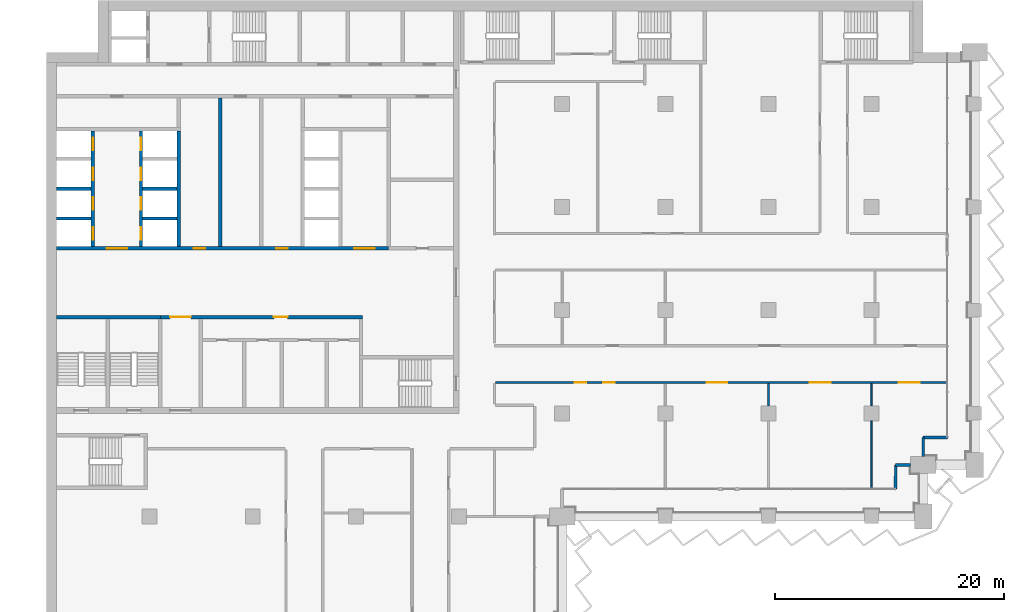
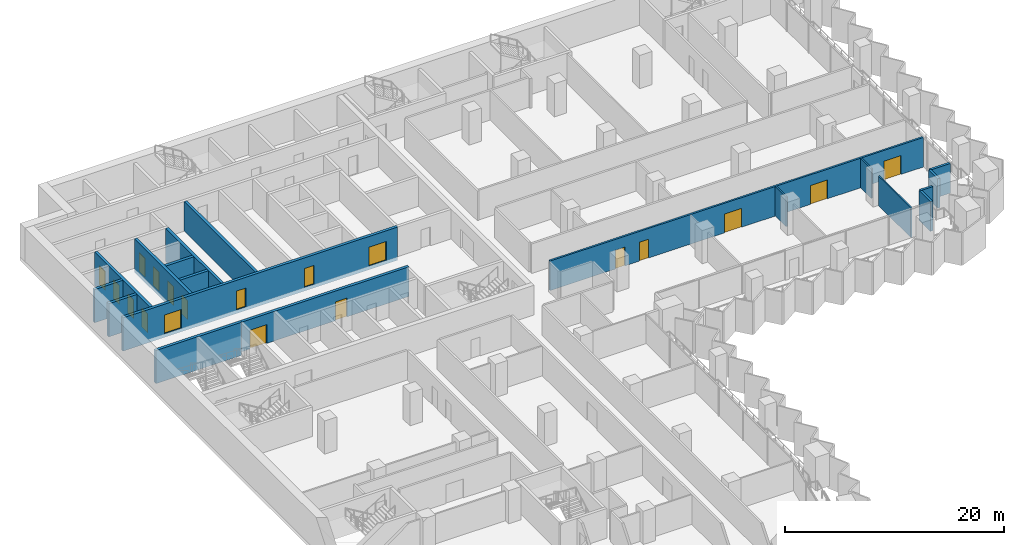
# One storey, part 12 of 23: 19 doors, 19 walls, 19 openings.
"""IFC4 building model written with IfcOpenShell, lengths in metres."""

from ifc_helpers import new_model, si_unit, direction, frame, frame_2d, origin, place, context, subcontext, project, spatial, rectangle, extrude, material, layer, layer_set, type_object, element, fill, save


model = new_model("IFC4")

# Units and contexts
model_context = context("Model", 3, precision=1e-05, world=origin(), true_north=direction((0.0, 1.0)))
body_context = subcontext(model_context, "Body", "Model", "MODEL_VIEW")
ifc_project = project(units=[si_unit("LENGTHUNIT", "METRE"), si_unit("AREAUNIT", "SQUARE_METRE"), si_unit("VOLUMEUNIT", "CUBIC_METRE"), si_unit("PLANEANGLEUNIT", "RADIAN"), si_unit("MASSUNIT", "GRAM", prefix="KILO")], contexts=[model_context])

# Site, building, storey
site_placement = place(None, origin())
site = spatial("IfcSite", under=ifc_project, at=site_placement, CompositionType="ELEMENT")
building_placement = place(site_placement, origin())
building = spatial("IfcBuilding", under=site, at=building_placement, Name="Hunhe Ridgeline Campus", CompositionType="ELEMENT")
storey_placement = place(building_placement, frame((0.0, 0.0, 103.300048828125)))
storey = spatial("IfcBuildingStorey", under=building, at=storey_placement, Name="L25", CompositionType="ELEMENT", Elevation=103.300048828125)

# Wall, openings, doors
ifc_material_1 = material(Name="Masonry concrete blockwork", Category="masonry")
ifc_layer_1 = layer(ifc_material_1, 0.300048828125)
ifc_layer_set_1 = layer_set([ifc_layer_1], Name="Core room partition 300 concrete block")
wall_type_1 = type_object("IfcWallType", Name="Core room partition 300 concrete block", PredefinedType="PARTITIONING", material=ifc_layer_set_1)
wall_1_placement = place(storey_placement, frame((9.949951171875, 71.39990234375, 0.0), z_axis=(0.0, 0.0, 1.0), x_axis=(1.0, 0.0, 0.0)))
wall_1 = element("IfcWall", 1, at=wall_1_placement, inside=storey, type_object=wall_type_1, Name="L25 core partition 11", PredefinedType="PARTITIONING", context=body_context, shape_type="SweptSolid", body=[
    extrude(rectangle(XDim=17.650146484375, YDim=0.300048828125, at=frame_2d((8.8251953125, 0.0))), origin(), (0.0, 0.0, 1.0), 3.300048828125),
])
opening_1_placement = place(wall_1_placement, frame((0.85009765625, 0.0, 0.0)))
opening_1 = element("IfcOpeningElement", 2, at=opening_1_placement, cuts=wall_1, Name="Opening CD7", PredefinedType="OPENING", context=body_context, shape_type="SweptSolid", body=[
    extrude(rectangle(XDim=1.800048828125, YDim=2.10009765625, at=frame_2d((0.89990234375, 1.050048828125))), frame((0.0, 0.14990234375, 0.0), z_axis=(0.0, -1.0, 0.0), x_axis=(1.0, 0.0, 0.0)), (0.0, 0.0, 1.0), 0.300048828125),
])
opening_2_placement = place(wall_1_placement, frame((9.89990234375, 0.0, 0.0)))
opening_2 = element("IfcOpeningElement", 3, at=opening_2_placement, cuts=wall_1, Name="Opening CD12", PredefinedType="OPENING", context=body_context, shape_type="SweptSolid", body=[
    extrude(rectangle(XDim=1.199951171875, YDim=2.10009765625, at=frame_2d((0.60009765625, 1.050048828125))), frame((0.0, 0.14990234375, 0.0), z_axis=(0.0, -1.0, 0.0), x_axis=(1.0, 0.0, 0.0)), (0.0, 0.0, 1.0), 0.300048828125),
])
ifc_material_2 = material(Name="Anodised aluminium and glass", Category="aluminium")
door_type_1 = type_object("IfcDoorType", Name="Glazed double door 1800x2100", OperationType="DOUBLE_DOOR_SINGLE_SWING", PredefinedType="DOOR", material=ifc_material_2)
door_1_placement = place(opening_1_placement, origin())
door_1 = element("IfcDoor", 4, at=door_1_placement, inside=storey, type_object=door_type_1, Name="L25 door VEST-HALL", OperationType="DOUBLE_DOOR_SINGLE_SWING", OverallHeight=2.10009765625, OverallWidth=1.800048828125, PredefinedType="DOOR", context=body_context, shape_type="SweptSolid", body=[
    extrude(rectangle(XDim=1.800048828125, YDim=2.10009765625, at=frame_2d((0.89990234375, 1.050048828125))), frame((0.0, 0.02490234375, 0.0), z_axis=(0.0, -1.0, 0.0), x_axis=(1.0, 0.0, 0.0)), (0.0, 0.0, 1.0), 0.050048828125),
])
fill(opening_1, door_1)
ifc_material_3 = material(Name="Solid core timber door leaf", Category="wood")
door_type_2 = type_object("IfcDoorType", Name="Timber door 1200x2100", OperationType="SINGLE_SWING_LEFT", PredefinedType="DOOR", material=ifc_material_3)
door_2_placement = place(opening_2_placement, origin())
door_2 = element("IfcDoor", 5, at=door_2_placement, inside=storey, type_object=door_type_2, Name="L25 door WCL2-HALL", OperationType="SINGLE_SWING_LEFT", OverallHeight=2.10009765625, OverallWidth=1.199951171875, PredefinedType="DOOR", context=body_context, shape_type="SweptSolid", body=[
    extrude(rectangle(XDim=1.199951171875, YDim=2.10009765625, at=frame_2d((0.60009765625, 1.050048828125))), frame((0.0, 0.02490234375, 0.0), z_axis=(0.0, -1.0, 0.0), x_axis=(1.0, 0.0, 0.0)), (0.0, 0.0, 1.0), 0.050048828125),
])
fill(opening_2, door_2)

# Walls
wall_2_placement = place(storey_placement, frame((15.14990234375, 77.550048828125, 0.0), z_axis=(0.0, 0.0, 1.0), x_axis=(0.0, 1.0, 0.0)))
element("IfcWall", 6, at=wall_2_placement, inside=storey, type_object=wall_type_1, Name="L25 core partition 44", PredefinedType="PARTITIONING", context=body_context, shape_type="SweptSolid", body=[
    extrude(rectangle(XDim=12.949951171875, YDim=0.300048828125, at=frame_2d((6.47509765625, 0.0))), origin(), (0.0, 0.0, 1.0), 3.300048828125),
])
ifc_material_4 = material(Name="Concrete C30", Category="concrete")
ifc_layer_2 = layer(ifc_material_4, 0.25)
ifc_layer_set_2 = layer_set([ifc_layer_2], Name="Corner return wall 250 Concrete C30")
wall_type_2 = type_object("IfcWallType", Name="Corner return wall 250 Concrete C30", PredefinedType="SOLIDWALL", material=ifc_layer_set_2)
wall_3_placement = place(storey_placement, frame((74.09912109375, 56.40087890625, 0.0), z_axis=(0.0, 0.0, 1.0), x_axis=(0.00011626555, 0.999999993241, 0.0)))
element("IfcWall", 7, at=wall_3_placement, inside=storey, type_object=wall_type_2, Name="Corner return wall 4", PredefinedType="SOLIDWALL", context=body_context, shape_type="SweptSolid", body=[
    extrude(rectangle(XDim=2.099853515625, YDim=0.25, at=frame_2d((1.0498046875, 0.0))), origin(), (0.0, 0.0, 1.0), 3.300048828125),
])
wall_4_placement = place(storey_placement, frame((74.099365234375, 58.500732421875, 0.0), z_axis=(0.0, 0.0, 1.0), x_axis=(0.99999998238, 0.000187722918, 0.0)))
element("IfcWall", 8, at=wall_4_placement, inside=storey, type_object=wall_type_2, Name="Corner return wall 5", PredefinedType="SOLIDWALL", context=body_context, shape_type="SweptSolid", body=[
    extrude(rectangle(XDim=1.300537109375, YDim=0.25, at=frame_2d((0.650390625, 0.0))), origin(), (0.0, 0.0, 1.0), 3.300048828125),
])
wall_5_placement = place(storey_placement, frame((76.4990234375, 59.25, 0.0), z_axis=(0.0, 0.0, 1.0), x_axis=(0.000147907113, 0.999999989062, 0.0)))
element("IfcWall", 9, at=wall_5_placement, inside=storey, type_object=wall_type_2, Name="Corner return wall 6", PredefinedType="SOLIDWALL", context=body_context, shape_type="SweptSolid", body=[
    extrude(rectangle(XDim=1.650634765625, YDim=0.25, at=frame_2d((0.8251953125, 0.0))), origin(), (0.0, 0.0, 1.0), 3.300048828125),
])
wall_6_placement = place(storey_placement, frame((76.499267578125, 60.900634765625, 0.0), z_axis=(0.0, 0.0, 1.0), x_axis=(0.999999993241, 0.00011626555, 0.0)))
element("IfcWall", 10, at=wall_6_placement, inside=storey, type_object=wall_type_2, Name="Corner return wall 7", PredefinedType="SOLIDWALL", context=body_context, shape_type="SweptSolid", body=[
    extrude(rectangle(XDim=2.099853515625, YDim=0.25, at=frame_2d((1.0498046875, 0.0))), origin(), (0.0, 0.0, 1.0), 3.300048828125),
])

# Wall, openings, doors
ifc_material_5 = material(Name="Gypsum board partition")
ifc_layer_3 = layer(ifc_material_5, 0.199951171875)
ifc_layer_set_3 = layer_set([ifc_layer_3], Name="Corridor partition 200 gypsum board on steel studs")
wall_type_3 = type_object("IfcWallType", Name="Corridor partition 200 gypsum board on steel studs", PredefinedType="PARTITIONING", material=ifc_layer_set_3)
wall_7_placement = place(storey_placement, frame((78.544921875, 65.699951171875, 0.0), z_axis=(0.0, 0.0, 1.0), x_axis=(-1.0, 0.0, 0.0)))
wall_7 = element("IfcWall", 11, at=wall_7_placement, inside=storey, type_object=wall_type_3, Name="F-L25-wall-033", PredefinedType="PARTITIONING", context=body_context, shape_type="SweptSolid", body=[
    extrude(rectangle(XDim=39.344970703125, YDim=0.199951171875, at=frame_2d((19.67236328125, 0.0))), origin(), (0.0, 0.0, 1.0), 3.300048828125),
])
opening_3_placement = place(wall_7_placement, frame((31.4521484375, 0.0, 0.0)))
opening_3 = element("IfcOpeningElement", 12, at=opening_3_placement, cuts=wall_7, Name="Opening RD1-020", PredefinedType="OPENING", context=body_context, shape_type="SweptSolid", body=[
    extrude(rectangle(XDim=1.0, YDim=2.10009765625, at=frame_2d((0.5, 1.050048828125))), frame((0.0, 0.10009765625, 0.0), z_axis=(0.0, -1.0, 0.0), x_axis=(1.0, 0.0, 0.0)), (0.0, 0.0, 1.0), 0.199951171875),
])
opening_4_placement = place(wall_7_placement, frame((28.9521484375, 0.0, 0.0)))
opening_4 = element("IfcOpeningElement", 13, at=opening_4_placement, cuts=wall_7, Name="Opening RD1-021", PredefinedType="OPENING", context=body_context, shape_type="SweptSolid", body=[
    extrude(rectangle(XDim=1.0, YDim=2.10009765625, at=frame_2d((0.5, 1.050048828125))), frame((0.0, 0.10009765625, 0.0), z_axis=(0.0, -1.0, 0.0), x_axis=(1.0, 0.0, 0.0)), (0.0, 0.0, 1.0), 0.199951171875),
])
opening_5_placement = place(wall_7_placement, frame((19.1484375, 0.0, 0.0)))
opening_5 = element("IfcOpeningElement", 14, at=opening_5_placement, cuts=wall_7, Name="Opening RD2-022", PredefinedType="OPENING", context=body_context, shape_type="SweptSolid", body=[
    extrude(rectangle(XDim=1.800048828125, YDim=2.10009765625, at=frame_2d((0.89990234375, 1.050048828125))), frame((0.0, 0.10009765625, 0.0), z_axis=(0.0, -1.0, 0.0), x_axis=(1.0, 0.0, 0.0)), (0.0, 0.0, 1.0), 0.199951171875),
])
opening_6_placement = place(wall_7_placement, frame((10.126708984375, 0.0, 0.0)))
opening_6 = element("IfcOpeningElement", 15, at=opening_6_placement, cuts=wall_7, Name="Opening RD2-023", PredefinedType="OPENING", context=body_context, shape_type="SweptSolid", body=[
    extrude(rectangle(XDim=1.800048828125, YDim=2.10009765625, at=frame_2d((0.89990234375, 1.050048828125))), frame((0.0, 0.10009765625, 0.0), z_axis=(0.0, -1.0, 0.0), x_axis=(1.0, 0.0, 0.0)), (0.0, 0.0, 1.0), 0.199951171875),
])
opening_7_placement = place(wall_7_placement, frame((2.35791015625, 0.0, 0.0)))
opening_7 = element("IfcOpeningElement", 16, at=opening_7_placement, cuts=wall_7, Name="Opening RD2-024", PredefinedType="OPENING", context=body_context, shape_type="SweptSolid", body=[
    extrude(rectangle(XDim=1.800048828125, YDim=2.10009765625, at=frame_2d((0.89990234375, 1.050048828125))), frame((0.0, 0.10009765625, 0.0), z_axis=(0.0, -1.0, 0.0), x_axis=(1.0, 0.0, 0.0)), (0.0, 0.0, 1.0), 0.199951171875),
])
ifc_material_6 = material(Name="Timber door leaf", Category="wood")
door_type_3 = type_object("IfcDoorType", Name="Double fire door 1800x2100 timber FD60", OperationType="DOUBLE_DOOR_SINGLE_SWING", PredefinedType="DOOR", material=ifc_material_6)
door_3_placement = place(opening_5_placement, origin())
door_3 = element("IfcDoor", 17, at=door_3_placement, inside=storey, type_object=door_type_3, Name="F-L25-door-022", OperationType="DOUBLE_DOOR_SINGLE_SWING", OverallHeight=2.10009765625, OverallWidth=1.800048828125, PredefinedType="DOOR", context=body_context, shape_type="SweptSolid", body=[
    extrude(rectangle(XDim=1.800048828125, YDim=2.10009765625, at=frame_2d((0.89990234375, 1.050048828125))), frame((0.0, 0.02490234375, 0.0), z_axis=(0.0, -1.0, 0.0), x_axis=(1.0, 0.0, 0.0)), (0.0, 0.0, 1.0), 0.050048828125),
])
fill(opening_5, door_3)
door_4_placement = place(opening_6_placement, origin())
door_4 = element("IfcDoor", 18, at=door_4_placement, inside=storey, type_object=door_type_3, Name="F-L25-door-023", OperationType="DOUBLE_DOOR_SINGLE_SWING", OverallHeight=2.10009765625, OverallWidth=1.800048828125, PredefinedType="DOOR", context=body_context, shape_type="SweptSolid", body=[
    extrude(rectangle(XDim=1.800048828125, YDim=2.10009765625, at=frame_2d((0.89990234375, 1.050048828125))), frame((0.0, 0.02490234375, 0.0), z_axis=(0.0, -1.0, 0.0), x_axis=(1.0, 0.0, 0.0)), (0.0, 0.0, 1.0), 0.050048828125),
])
fill(opening_6, door_4)
door_5_placement = place(opening_7_placement, origin())
door_5 = element("IfcDoor", 19, at=door_5_placement, inside=storey, type_object=door_type_3, Name="F-L25-door-024", OperationType="DOUBLE_DOOR_SINGLE_SWING", OverallHeight=2.10009765625, OverallWidth=1.800048828125, PredefinedType="DOOR", context=body_context, shape_type="SweptSolid", body=[
    extrude(rectangle(XDim=1.800048828125, YDim=2.10009765625, at=frame_2d((0.89990234375, 1.050048828125))), frame((0.0, 0.02490234375, 0.0), z_axis=(0.0, -1.0, 0.0), x_axis=(1.0, 0.0, 0.0)), (0.0, 0.0, 1.0), 0.050048828125),
])
fill(opening_7, door_5)
door_type_4 = type_object("IfcDoorType", Name="Single fire door 1000x2100 timber FD60", OperationType="NOTDEFINED", PredefinedType="DOOR", material=ifc_material_6)
door_6_placement = place(opening_3_placement, frame((1.0, 0.0, 0.0), z_axis=(0.0, 0.0, 1.0), x_axis=(-1.0, 0.0, 0.0)))
door_6 = element("IfcDoor", 20, at=door_6_placement, inside=storey, type_object=door_type_4, Name="F-L25-door-020", OperationType="SINGLE_SWING_LEFT", OverallHeight=2.10009765625, OverallWidth=1.0, PredefinedType="DOOR", context=body_context, shape_type="SweptSolid", body=[
    extrude(rectangle(XDim=1.0, YDim=2.10009765625, at=frame_2d((0.5, 1.050048828125))), frame((0.0, 0.02490234375, 0.0), z_axis=(0.0, -1.0, 0.0), x_axis=(1.0, 0.0, 0.0)), (0.0, 0.0, 1.0), 0.050048828125),
])
fill(opening_3, door_6)
door_7_placement = place(opening_4_placement, frame((1.0, 0.0, 0.0), z_axis=(0.0, 0.0, 1.0), x_axis=(-1.0, 0.0, 0.0)))
door_7 = element("IfcDoor", 21, at=door_7_placement, inside=storey, type_object=door_type_4, Name="F-L25-door-021", OperationType="SINGLE_SWING_RIGHT", OverallHeight=2.10009765625, OverallWidth=1.0, PredefinedType="DOOR", context=body_context, shape_type="SweptSolid", body=[
    extrude(rectangle(XDim=1.0, YDim=2.10009765625, at=frame_2d((0.5, 1.050048828125))), frame((0.0, 0.02490234375, 0.0), z_axis=(0.0, -1.0, 0.0), x_axis=(1.0, 0.0, 0.0)), (0.0, 0.0, 1.0), 0.050048828125),
])
fill(opening_4, door_7)

# Walls
ifc_layer_4 = layer(ifc_material_5, 0.14990234375)
ifc_layer_set_4 = layer_set([ifc_layer_4], Name="Room partition 150 gypsum board on steel studs")
wall_type_4 = type_object("IfcWallType", Name="Room partition 150 gypsum board on steel studs", PredefinedType="PARTITIONING", material=ifc_layer_set_4)
wall_8_placement = place(storey_placement, frame((63.0, 65.60009765625, 0.0), z_axis=(0.0, 0.0, 1.0), x_axis=(0.0, -1.0, 0.0)))
element("IfcWall", 22, at=wall_8_placement, inside=storey, type_object=wall_type_4, Name="F-L25-wall-067", PredefinedType="PARTITIONING", context=body_context, shape_type="SweptSolid", body=[
    extrude(rectangle(XDim=1.9501953125, YDim=0.14990234375, at=frame_2d((0.97509765625, 0.0))), origin(), (0.0, 0.0, 1.0), 3.300048828125),
])
wall_9_placement = place(storey_placement, frame((72.0, 62.35009765625, 0.0), z_axis=(0.0, 0.0, 1.0), x_axis=(0.0, -1.0, 0.0)))
element("IfcWall", 23, at=wall_9_placement, inside=storey, type_object=wall_type_4, Name="F-L25-wall-070", PredefinedType="PARTITIONING", context=body_context, shape_type="SweptSolid", body=[
    extrude(rectangle(XDim=5.89501953125, YDim=0.14990234375, at=frame_2d((2.947509765625, 0.0))), origin(), (0.0, 0.0, 1.0), 3.300048828125),
])
wall_10_placement = place(storey_placement, frame((72.0, 65.60009765625, 0.0), z_axis=(0.0, 0.0, 1.0), x_axis=(0.0, -1.0, 0.0)))
element("IfcWall", 24, at=wall_10_placement, inside=storey, type_object=wall_type_4, Name="F-L25-wall-071", PredefinedType="PARTITIONING", context=body_context, shape_type="SweptSolid", body=[
    extrude(rectangle(XDim=1.9501953125, YDim=0.14990234375, at=frame_2d((0.97509765625, 0.0))), origin(), (0.0, 0.0, 1.0), 3.300048828125),
])

# Wall, openings, doors
ifc_material_7 = material(Name="Concrete C80", Category="concrete")
ifc_layer_5 = layer(ifc_material_7, 0.300048828125)
ifc_layer_set_5 = layer_set([ifc_layer_5], Name="Shaft wall 300 reinforced concrete C80")
wall_type_5 = type_object("IfcWallType", Name="Shaft wall 300 reinforced concrete C80", PredefinedType="SOLIDWALL", material=ifc_layer_set_5)
wall_11_placement = place(storey_placement, frame((0.89990234375, 77.39990234375, -0.400146484375), z_axis=(0.0, 0.0, 1.0), x_axis=(1.0, 0.0, 0.0)))
wall_11 = element("IfcWall", 25, at=wall_11_placement, inside=storey, type_object=wall_type_5, Name="L25 core wall 12", PredefinedType="SOLIDWALL", context=body_context, shape_type="SweptSolid", body=[
    extrude(rectangle(XDim=28.9501953125, YDim=0.300048828125, at=frame_2d((14.47509765625, 0.0))), origin(), (0.0, 0.0, 1.0), 3.7001953125),
])
opening_8_placement = place(wall_11_placement, frame((4.35009765625, 0.0, 0.39990234375)))
opening_8 = element("IfcOpeningElement", 26, at=opening_8_placement, cuts=wall_11, Name="Opening CD1", PredefinedType="OPENING", context=body_context, shape_type="SweptSolid", body=[
    extrude(rectangle(XDim=1.800048828125, YDim=2.10009765625, at=frame_2d((0.89990234375, 1.050048828125))), frame((0.0, 0.14990234375, 0.0), z_axis=(0.0, -1.0, 0.0), x_axis=(1.0, 0.0, 0.0)), (0.0, 0.0, 1.0), 0.300048828125),
])
opening_9_placement = place(wall_11_placement, frame((25.949951171875, 0.0, 0.39990234375)))
opening_9 = element("IfcOpeningElement", 27, at=opening_9_placement, cuts=wall_11, Name="Opening CD2", PredefinedType="OPENING", context=body_context, shape_type="SweptSolid", body=[
    extrude(rectangle(XDim=1.800048828125, YDim=2.10009765625, at=frame_2d((0.89990234375, 1.050048828125))), frame((0.0, 0.14990234375, 0.0), z_axis=(0.0, -1.0, 0.0), x_axis=(1.0, 0.0, 0.0)), (0.0, 0.0, 1.0), 0.300048828125),
])
opening_10_placement = place(wall_11_placement, frame((11.949951171875, 0.0, 0.39990234375)))
opening_10 = element("IfcOpeningElement", 28, at=opening_10_placement, cuts=wall_11, Name="Opening CD28", PredefinedType="OPENING", context=body_context, shape_type="SweptSolid", body=[
    extrude(rectangle(XDim=1.0, YDim=2.10009765625, at=frame_2d((0.5, 1.050048828125))), frame((0.0, 0.14990234375, 0.0), z_axis=(0.0, -1.0, 0.0), x_axis=(1.0, 0.0, 0.0)), (0.0, 0.0, 1.0), 0.300048828125),
])
opening_11_placement = place(wall_11_placement, frame((19.14990234375, 0.0, 0.39990234375)))
opening_11 = element("IfcOpeningElement", 29, at=opening_11_placement, cuts=wall_11, Name="Opening CD30", PredefinedType="OPENING", context=body_context, shape_type="SweptSolid", body=[
    extrude(rectangle(XDim=1.0, YDim=2.10009765625, at=frame_2d((0.5, 1.050048828125))), frame((0.0, 0.14990234375, 0.0), z_axis=(0.0, -1.0, 0.0), x_axis=(1.0, 0.0, 0.0)), (0.0, 0.0, 1.0), 0.300048828125),
])
ifc_material_8 = material(Name="Hollow metal fire door leaf")
door_type_5 = type_object("IfcDoorType", Name="Lobby door 1800x2100 FD60", OperationType="SINGLE_SWING_LEFT", PredefinedType="DOOR", material=ifc_material_8)
door_8_placement = place(opening_8_placement, frame((1.800048828125, 0.0, 0.0), z_axis=(0.0, 0.0, 1.0), x_axis=(-1.0, 0.0, 0.0)))
door_8 = element("IfcDoor", 30, at=door_8_placement, inside=storey, type_object=door_type_5, Name="L25 door LOB-LR", OperationType="SINGLE_SWING_RIGHT", OverallHeight=2.10009765625, OverallWidth=1.800048828125, PredefinedType="DOOR", context=body_context, shape_type="SweptSolid", body=[
    extrude(rectangle(XDim=1.800048828125, YDim=2.10009765625, at=frame_2d((0.89990234375, 1.050048828125))), frame((0.0, 0.02490234375, 0.0), z_axis=(0.0, -1.0, 0.0), x_axis=(1.0, 0.0, 0.0)), (0.0, 0.0, 1.0), 0.050048828125),
])
fill(opening_8, door_8)
door_9_placement = place(opening_9_placement, frame((1.800048828125, 0.0, 0.0), z_axis=(0.0, 0.0, 1.0), x_axis=(-1.0, 0.0, 0.0)))
door_9 = element("IfcDoor", 31, at=door_9_placement, inside=storey, type_object=door_type_5, Name="L25 door LOB-SH", OperationType="SINGLE_SWING_LEFT", OverallHeight=2.10009765625, OverallWidth=1.800048828125, PredefinedType="DOOR", context=body_context, shape_type="SweptSolid", body=[
    extrude(rectangle(XDim=1.800048828125, YDim=2.10009765625, at=frame_2d((0.89990234375, 1.050048828125))), frame((0.0, 0.02490234375, 0.0), z_axis=(0.0, -1.0, 0.0), x_axis=(1.0, 0.0, 0.0)), (0.0, 0.0, 1.0), 0.050048828125),
])
fill(opening_9, door_9)
door_type_6 = type_object("IfcDoorType", Name="Timber door 1000x2100", OperationType="SINGLE_SWING_LEFT", PredefinedType="DOOR", material=ifc_material_3)
door_10_placement = place(opening_10_placement, origin())
door_10 = element("IfcDoor", 32, at=door_10_placement, inside=storey, type_object=door_type_6, Name="L25 door VD-HR0", OperationType="SINGLE_SWING_LEFT", OverallHeight=2.10009765625, OverallWidth=1.0, PredefinedType="DOOR", context=body_context, shape_type="SweptSolid", body=[
    extrude(rectangle(XDim=1.0, YDim=2.10009765625, at=frame_2d((0.5, 1.050048828125))), frame((0.0, 0.02490234375, 0.0), z_axis=(0.0, -1.0, 0.0), x_axis=(1.0, 0.0, 0.0)), (0.0, 0.0, 1.0), 0.050048828125),
])
fill(opening_10, door_10)
door_11_placement = place(opening_11_placement, origin())
door_11 = element("IfcDoor", 33, at=door_11_placement, inside=storey, type_object=door_type_6, Name="L25 door VD-HR2", OperationType="SINGLE_SWING_LEFT", OverallHeight=2.10009765625, OverallWidth=1.0, PredefinedType="DOOR", context=body_context, shape_type="SweptSolid", body=[
    extrude(rectangle(XDim=1.0, YDim=2.10009765625, at=frame_2d((0.5, 1.050048828125))), frame((0.0, 0.02490234375, 0.0), z_axis=(0.0, -1.0, 0.0), x_axis=(1.0, 0.0, 0.0)), (0.0, 0.0, 1.0), 0.050048828125),
])
fill(opening_11, door_11)

# Walls
for number, where, z_axis, x_axis, name in (
    (34, (0.89990234375, 80.0, -0.400146484375), (0.0, 0.0, 1.0), (1.0, 0.0, 0.0), "L25 core wall 14"),
    (35, (8.39990234375, 80.0, -0.400146484375), (0.0, 0.0, 1.0), (1.0, 0.0, 0.0), "L25 core wall 15"),
    (36, (0.89990234375, 82.60009765625, -0.400146484375), (0.0, 0.0, 1.0), (1.0, 0.0, 0.0), "L25 core wall 17"),
    (37, (8.39990234375, 82.60009765625, -0.400146484375), (0.0, 0.0, 1.0), (1.0, 0.0, 0.0), "L25 core wall 18"),
):
    element("IfcWall", number, at=place(storey_placement, frame(where, z_axis=z_axis, x_axis=x_axis)), inside=storey, type_object=wall_type_5, Name=name, PredefinedType="SOLIDWALL", context=body_context, shape_type="SweptSolid", body=[
        extrude(rectangle(XDim=3.0, YDim=0.300048828125, at=frame_2d((1.5, 0.0))), origin(), (0.0, 0.0, 1.0), 3.7001953125),
    ])

# Wall, openings, doors
wall_12_placement = place(storey_placement, frame((4.050048828125, 77.550048828125, -0.400146484375), z_axis=(0.0, 0.0, 1.0), x_axis=(0.0, 1.0, 0.0)))
wall_12 = element("IfcWall", 38, at=wall_12_placement, inside=storey, type_object=wall_type_5, Name="L25 core wall 32", PredefinedType="SOLIDWALL", context=body_context, shape_type="SweptSolid", body=[
    extrude(rectangle(XDim=10.099853515625, YDim=0.300048828125, at=frame_2d((5.0498046875, 0.0))), origin(), (0.0, 0.0, 1.0), 3.7001953125),
])
opening_12_placement = place(wall_12_placement, frame((0.60009765625, 0.0, 0.39990234375)))
opening_12 = element("IfcOpeningElement", 39, at=opening_12_placement, cuts=wall_12, Name="Opening LD-LR1", PredefinedType="OPENING", context=body_context, shape_type="SweptSolid", body=[
    extrude(rectangle(XDim=1.10009765625, YDim=2.10009765625, at=frame_2d((0.550048828125, 1.050048828125))), frame((0.0, 0.14990234375, 0.0), z_axis=(0.0, -1.0, 0.0), x_axis=(1.0, 0.0, 0.0)), (0.0, 0.0, 1.0), 0.300048828125),
])
opening_13_placement = place(wall_12_placement, frame((3.199951171875, 0.0, 0.39990234375)))
opening_13 = element("IfcOpeningElement", 40, at=opening_13_placement, cuts=wall_12, Name="Opening LD-LR2", PredefinedType="OPENING", context=body_context, shape_type="SweptSolid", body=[
    extrude(rectangle(XDim=1.10009765625, YDim=2.10009765625, at=frame_2d((0.550048828125, 1.050048828125))), frame((0.0, 0.14990234375, 0.0), z_axis=(0.0, -1.0, 0.0), x_axis=(1.0, 0.0, 0.0)), (0.0, 0.0, 1.0), 0.300048828125),
])
opening_14_placement = place(wall_12_placement, frame((5.800048828125, 0.0, 0.39990234375)))
opening_14 = element("IfcOpeningElement", 41, at=opening_14_placement, cuts=wall_12, Name="Opening LD-LR3", PredefinedType="OPENING", context=body_context, shape_type="SweptSolid", body=[
    extrude(rectangle(XDim=1.10009765625, YDim=2.10009765625, at=frame_2d((0.550048828125, 1.050048828125))), frame((0.0, 0.14990234375, 0.0), z_axis=(0.0, -1.0, 0.0), x_axis=(1.0, 0.0, 0.0)), (0.0, 0.0, 1.0), 0.300048828125),
])
opening_15_placement = place(wall_12_placement, frame((8.39990234375, 0.0, 0.39990234375)))
opening_15 = element("IfcOpeningElement", 42, at=opening_15_placement, cuts=wall_12, Name="Opening LD-LR4", PredefinedType="OPENING", context=body_context, shape_type="SweptSolid", body=[
    extrude(rectangle(XDim=1.10009765625, YDim=2.10009765625, at=frame_2d((0.550048828125, 1.050048828125))), frame((0.0, 0.14990234375, 0.0), z_axis=(0.0, -1.0, 0.0), x_axis=(1.0, 0.0, 0.0)), (0.0, 0.0, 1.0), 0.300048828125),
])
ifc_material_9 = material(Name="Stainless steel sliding leaves", Category="steel")
door_type_7 = type_object("IfcDoorType", Name="Landing door 1100x2100 FD120", OperationType="SLIDING_TO_LEFT", PredefinedType="DOOR", material=ifc_material_9)
door_12_placement = place(opening_12_placement, origin())
door_12 = element("IfcDoor", 43, at=door_12_placement, inside=storey, type_object=door_type_7, Name="L25 landing door LR1", OperationType="SLIDING_TO_RIGHT", OverallHeight=2.10009765625, OverallWidth=1.10009765625, PredefinedType="DOOR", context=body_context, shape_type="SweptSolid", body=[
    extrude(rectangle(XDim=1.10009765625, YDim=2.10009765625, at=frame_2d((0.550048828125, 1.050048828125))), frame((0.0, 0.02490234375, 0.0), z_axis=(0.0, -1.0, 0.0), x_axis=(1.0, 0.0, 0.0)), (0.0, 0.0, 1.0), 0.050048828125),
])
fill(opening_12, door_12)
door_13_placement = place(opening_13_placement, origin())
door_13 = element("IfcDoor", 44, at=door_13_placement, inside=storey, type_object=door_type_7, Name="L25 landing door LR2", OperationType="SLIDING_TO_LEFT", OverallHeight=2.10009765625, OverallWidth=1.10009765625, PredefinedType="DOOR", context=body_context, shape_type="SweptSolid", body=[
    extrude(rectangle(XDim=1.10009765625, YDim=2.10009765625, at=frame_2d((0.550048828125, 1.050048828125))), frame((0.0, 0.02490234375, 0.0), z_axis=(0.0, -1.0, 0.0), x_axis=(1.0, 0.0, 0.0)), (0.0, 0.0, 1.0), 0.050048828125),
])
fill(opening_13, door_13)
door_14_placement = place(opening_14_placement, origin())
door_14 = element("IfcDoor", 45, at=door_14_placement, inside=storey, type_object=door_type_7, Name="L25 landing door LR3", OperationType="SLIDING_TO_RIGHT", OverallHeight=2.10009765625, OverallWidth=1.10009765625, PredefinedType="DOOR", context=body_context, shape_type="SweptSolid", body=[
    extrude(rectangle(XDim=1.10009765625, YDim=2.10009765625, at=frame_2d((0.550048828125, 1.050048828125))), frame((0.0, 0.02490234375, 0.0), z_axis=(0.0, -1.0, 0.0), x_axis=(1.0, 0.0, 0.0)), (0.0, 0.0, 1.0), 0.050048828125),
])
fill(opening_14, door_14)
door_15_placement = place(opening_15_placement, origin())
door_15 = element("IfcDoor", 46, at=door_15_placement, inside=storey, type_object=door_type_7, Name="L25 landing door LR4", OperationType="SLIDING_TO_LEFT", OverallHeight=2.10009765625, OverallWidth=1.10009765625, PredefinedType="DOOR", context=body_context, shape_type="SweptSolid", body=[
    extrude(rectangle(XDim=1.10009765625, YDim=2.10009765625, at=frame_2d((0.550048828125, 1.050048828125))), frame((0.0, 0.02490234375, 0.0), z_axis=(0.0, -1.0, 0.0), x_axis=(1.0, 0.0, 0.0)), (0.0, 0.0, 1.0), 0.050048828125),
])
fill(opening_15, door_15)

wall_13_placement = place(storey_placement, frame((8.25, 77.550048828125, -0.400146484375), z_axis=(0.0, 0.0, 1.0), x_axis=(0.0, 1.0, 0.0)))
wall_13 = element("IfcWall", 47, at=wall_13_placement, inside=storey, type_object=wall_type_5, Name="L25 core wall 35", PredefinedType="SOLIDWALL", context=body_context, shape_type="SweptSolid", body=[
    extrude(rectangle(XDim=10.099853515625, YDim=0.300048828125, at=frame_2d((5.0498046875, 0.0))), origin(), (0.0, 0.0, 1.0), 3.7001953125),
])
opening_16_placement = place(wall_13_placement, frame((0.60009765625, 0.0, 0.39990234375)))
opening_16 = element("IfcOpeningElement", 48, at=opening_16_placement, cuts=wall_13, Name="Opening LD-LR5", PredefinedType="OPENING", context=body_context, shape_type="SweptSolid", body=[
    extrude(rectangle(XDim=1.10009765625, YDim=2.10009765625, at=frame_2d((0.550048828125, 1.050048828125))), frame((0.0, 0.14990234375, 0.0), z_axis=(0.0, -1.0, 0.0), x_axis=(1.0, 0.0, 0.0)), (0.0, 0.0, 1.0), 0.300048828125),
])
opening_17_placement = place(wall_13_placement, frame((3.199951171875, 0.0, 0.39990234375)))
opening_17 = element("IfcOpeningElement", 49, at=opening_17_placement, cuts=wall_13, Name="Opening LD-LR6", PredefinedType="OPENING", context=body_context, shape_type="SweptSolid", body=[
    extrude(rectangle(XDim=1.10009765625, YDim=2.10009765625, at=frame_2d((0.550048828125, 1.050048828125))), frame((0.0, 0.14990234375, 0.0), z_axis=(0.0, -1.0, 0.0), x_axis=(1.0, 0.0, 0.0)), (0.0, 0.0, 1.0), 0.300048828125),
])
opening_18_placement = place(wall_13_placement, frame((5.800048828125, 0.0, 0.39990234375)))
opening_18 = element("IfcOpeningElement", 50, at=opening_18_placement, cuts=wall_13, Name="Opening LD-LR7", PredefinedType="OPENING", context=body_context, shape_type="SweptSolid", body=[
    extrude(rectangle(XDim=1.10009765625, YDim=2.10009765625, at=frame_2d((0.550048828125, 1.050048828125))), frame((0.0, 0.14990234375, 0.0), z_axis=(0.0, -1.0, 0.0), x_axis=(1.0, 0.0, 0.0)), (0.0, 0.0, 1.0), 0.300048828125),
])
opening_19_placement = place(wall_13_placement, frame((8.39990234375, 0.0, 0.39990234375)))
opening_19 = element("IfcOpeningElement", 51, at=opening_19_placement, cuts=wall_13, Name="Opening LD-LR8", PredefinedType="OPENING", context=body_context, shape_type="SweptSolid", body=[
    extrude(rectangle(XDim=1.10009765625, YDim=2.10009765625, at=frame_2d((0.550048828125, 1.050048828125))), frame((0.0, 0.14990234375, 0.0), z_axis=(0.0, -1.0, 0.0), x_axis=(1.0, 0.0, 0.0)), (0.0, 0.0, 1.0), 0.300048828125),
])
door_16_placement = place(opening_16_placement, origin())
door_16 = element("IfcDoor", 52, at=door_16_placement, inside=storey, type_object=door_type_7, Name="L25 landing door LR5", OperationType="SLIDING_TO_RIGHT", OverallHeight=2.10009765625, OverallWidth=1.10009765625, PredefinedType="DOOR", context=body_context, shape_type="SweptSolid", body=[
    extrude(rectangle(XDim=1.10009765625, YDim=2.10009765625, at=frame_2d((0.550048828125, 1.050048828125))), frame((0.0, 0.02490234375, 0.0), z_axis=(0.0, -1.0, 0.0), x_axis=(1.0, 0.0, 0.0)), (0.0, 0.0, 1.0), 0.050048828125),
])
fill(opening_16, door_16)
door_17_placement = place(opening_17_placement, origin())
door_17 = element("IfcDoor", 53, at=door_17_placement, inside=storey, type_object=door_type_7, Name="L25 landing door LR6", OperationType="SLIDING_TO_LEFT", OverallHeight=2.10009765625, OverallWidth=1.10009765625, PredefinedType="DOOR", context=body_context, shape_type="SweptSolid", body=[
    extrude(rectangle(XDim=1.10009765625, YDim=2.10009765625, at=frame_2d((0.550048828125, 1.050048828125))), frame((0.0, 0.02490234375, 0.0), z_axis=(0.0, -1.0, 0.0), x_axis=(1.0, 0.0, 0.0)), (0.0, 0.0, 1.0), 0.050048828125),
])
fill(opening_17, door_17)
door_18_placement = place(opening_18_placement, origin())
door_18 = element("IfcDoor", 54, at=door_18_placement, inside=storey, type_object=door_type_7, Name="L25 landing door LR7", OperationType="SLIDING_TO_RIGHT", OverallHeight=2.10009765625, OverallWidth=1.10009765625, PredefinedType="DOOR", context=body_context, shape_type="SweptSolid", body=[
    extrude(rectangle(XDim=1.10009765625, YDim=2.10009765625, at=frame_2d((0.550048828125, 1.050048828125))), frame((0.0, 0.02490234375, 0.0), z_axis=(0.0, -1.0, 0.0), x_axis=(1.0, 0.0, 0.0)), (0.0, 0.0, 1.0), 0.050048828125),
])
fill(opening_18, door_18)
door_19_placement = place(opening_19_placement, origin())
door_19 = element("IfcDoor", 55, at=door_19_placement, inside=storey, type_object=door_type_7, Name="L25 landing door LR8", OperationType="SLIDING_TO_LEFT", OverallHeight=2.10009765625, OverallWidth=1.10009765625, PredefinedType="DOOR", context=body_context, shape_type="SweptSolid", body=[
    extrude(rectangle(XDim=1.10009765625, YDim=2.10009765625, at=frame_2d((0.550048828125, 1.050048828125))), frame((0.0, 0.02490234375, 0.0), z_axis=(0.0, -1.0, 0.0), x_axis=(1.0, 0.0, 0.0)), (0.0, 0.0, 1.0), 0.050048828125),
])
fill(opening_19, door_19)

# Walls
wall_14_placement = place(storey_placement, frame((11.550048828125, 77.550048828125, -0.400146484375), z_axis=(0.0, 0.0, 1.0), x_axis=(0.0, 1.0, 0.0)))
element("IfcWall", 56, at=wall_14_placement, inside=storey, type_object=wall_type_5, Name="L25 core wall 40", PredefinedType="SOLIDWALL", context=body_context, shape_type="SweptSolid", body=[
    extrude(rectangle(XDim=10.099853515625, YDim=0.300048828125, at=frame_2d((5.0498046875, 0.0))), origin(), (0.0, 0.0, 1.0), 3.7001953125),
])
ifc_layer_6 = layer(ifc_material_7, 0.300048828125)
ifc_layer_set_6 = layer_set([ifc_layer_6], Name="Stair wall 300 reinforced concrete C80")
wall_type_6 = type_object("IfcWallType", Name="Stair wall 300 reinforced concrete C80", PredefinedType="SOLIDWALL", material=ifc_layer_set_6)
wall_15_placement = place(storey_placement, frame((0.89990234375, 71.39990234375, -0.400146484375), z_axis=(0.0, 0.0, 1.0), x_axis=(1.0, 0.0, 0.0)))
element("IfcWall", 57, at=wall_15_placement, inside=storey, type_object=wall_type_6, Name="L25 core wall 10", PredefinedType="SOLIDWALL", context=body_context, shape_type="SweptSolid", body=[
    extrude(rectangle(XDim=9.050048828125, YDim=0.300048828125, at=frame_2d((4.52490234375, 0.0))), origin(), (0.0, 0.0, 1.0), 3.7001953125),
])

save(model, "model.ifc")
